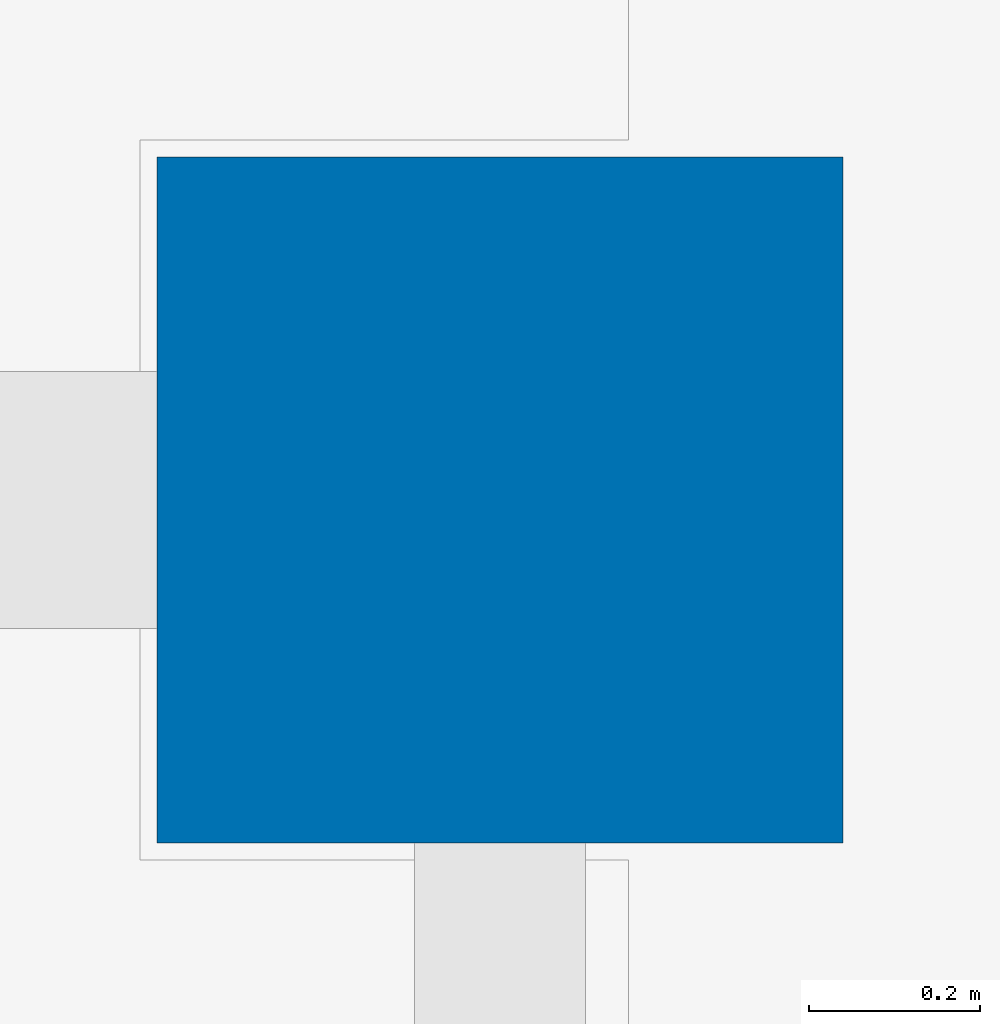
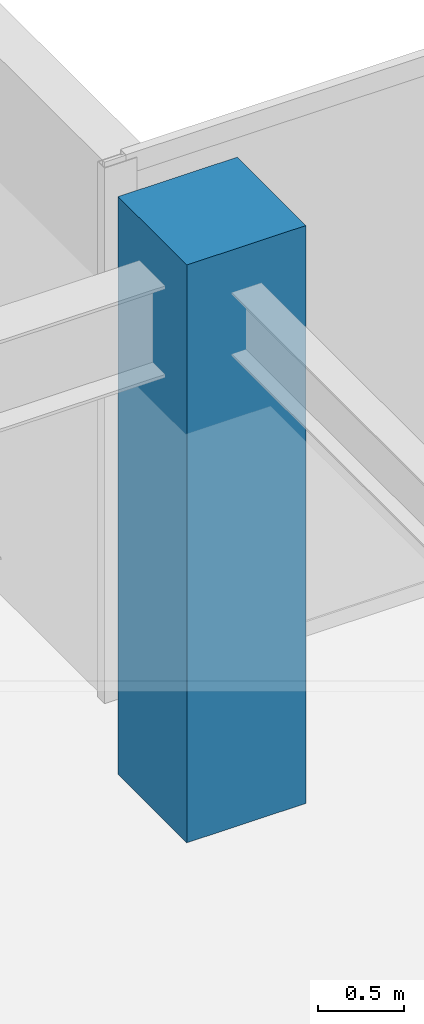
# One storey, part 4 of 35: 1 column.
"""IFC4 building model written with IfcOpenShell, lengths in metres."""

from ifc_helpers import new_model, si_unit, direction, frame, origin, origin_2d, place, context, subcontext, project, spatial, rectangle, extrude, source, transform, mapped, material, material_profile, profile_set, type_object, type_shapes, element, save


model = new_model("IFC4")

# Units and contexts
model_context = context("Model", 3, precision=1e-05, world=origin(), true_north=direction((0.0, 1.0)))
body_context = subcontext(model_context, "Body", "Model", "MODEL_VIEW")
ifc_project = project(units=[si_unit("LENGTHUNIT", "METRE"), si_unit("AREAUNIT", "SQUARE_METRE"), si_unit("VOLUMEUNIT", "CUBIC_METRE"), si_unit("PLANEANGLEUNIT", "RADIAN"), si_unit("MASSUNIT", "GRAM", prefix="KILO")], contexts=[model_context])

# Site, building, storey
site_placement = place(None, origin())
site = spatial("IfcSite", under=ifc_project, at=site_placement, CompositionType="ELEMENT")
building_placement = place(site_placement, origin())
building = spatial("IfcBuilding", under=site, at=building_placement, Name="Haelvirn Gate Laboratories", CompositionType="ELEMENT")
storey_placement = place(building_placement, frame((0.0, 0.0, 221.89990234375)))
storey = spatial("IfcBuildingStorey", under=building, at=storey_placement, Name="L53", CompositionType="ELEMENT", Elevation=221.89990234375)

# Column
ifc_material = material(Name="Concrete C50/60", Category="concrete")
ifc_material_profile = material_profile(ifc_material, rectangle(XDim=0.800048828125, YDim=0.800048828125, at=origin_2d()), Name="RC-800x800")
ifc_profile_set = profile_set([ifc_material_profile], Name="Concrete C50/60")
column_type = type_object("IfcColumnType", Name="COL-RC-800", PredefinedType="COLUMN", material=ifc_profile_set)
shared_shape = source(origin(), body_context, "Body", "SweptSolid", [
    extrude(rectangle(XDim=0.800048828125, YDim=0.800048828125, at=origin_2d()), origin(), (0.0, 0.0, 1.0), 4.10009765625),
])
type_shapes(column_type, [shared_shape])
column_placement = place(storey_placement, frame((67.39990234375, 41.60009765625, 0.0), z_axis=(0.0, 0.0, 1.0), x_axis=(1.0, 0.0, 0.0)))
element("IfcColumn", 1, at=column_placement, inside=storey, type_object=column_type, Name="L53 Column 10G", PredefinedType="COLUMN", context=body_context, shape_type="MappedRepresentation", body=[
    mapped(shared_shape, transform((0.0, 0.0, 0.0), scale=1.0)),
])

save(model, "model.ifc")
